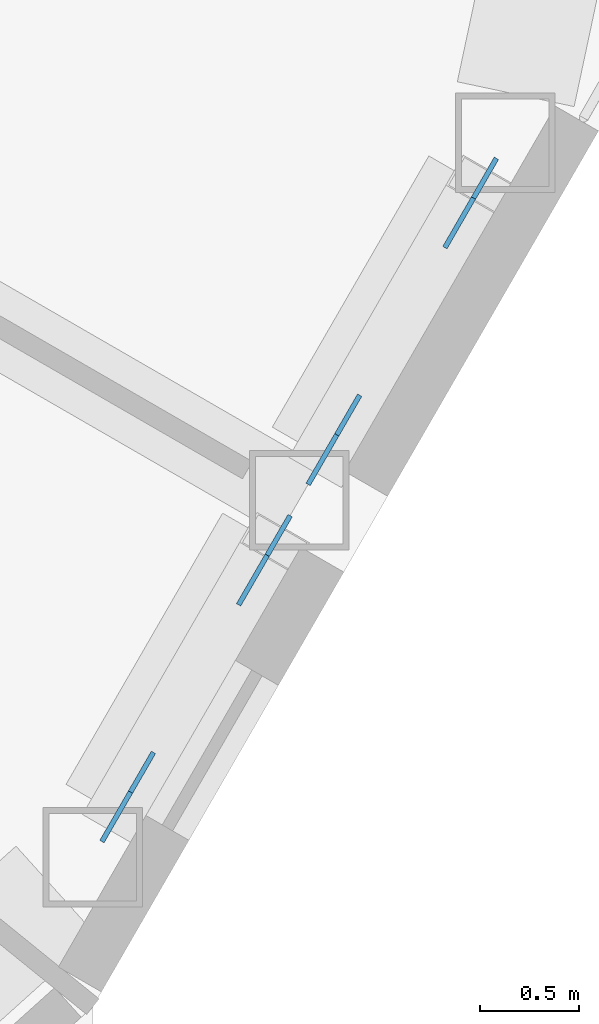
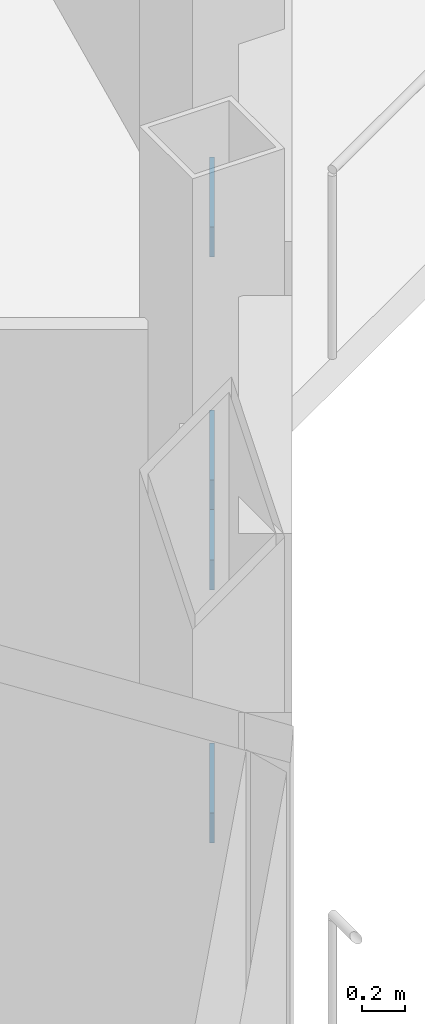
# One storey, part 20 of 27: 4 discrete accessories.
"""IFC4 building model written with IfcOpenShell, lengths in metres."""

from ifc_helpers import new_model, si_unit, direction, frame, origin, origin_2d, place, context, subcontext, project, spatial, rectangle, extrude, material, material_profile, profile_set, type_object, element, save


model = new_model("IFC4")

# Units and contexts
model_context = context("Model", 3, precision=1e-05, world=origin(), true_north=direction((0.0, 1.0)))
body_context = subcontext(model_context, "Body", "Model", "MODEL_VIEW")
ifc_project = project(units=[si_unit("LENGTHUNIT", "METRE"), si_unit("AREAUNIT", "SQUARE_METRE"), si_unit("VOLUMEUNIT", "CUBIC_METRE"), si_unit("PLANEANGLEUNIT", "RADIAN"), si_unit("MASSUNIT", "GRAM", prefix="KILO")], contexts=[model_context])

# Site, building, storey
site_placement = place(None, origin())
site = spatial("IfcSite", under=ifc_project, at=site_placement, CompositionType="ELEMENT")
building_placement = place(site_placement, origin())
building = spatial("IfcBuilding", under=site, at=building_placement, Name="Cormorant Prow Tower", CompositionType="ELEMENT")
storey_placement = place(building_placement, frame((0.0, 0.0, 361.0)))
storey = spatial("IfcBuildingStorey", under=building, at=storey_placement, Name="L80", CompositionType="ELEMENT", Elevation=361.0)

# Discrete accessories
ifc_material = material(Name="Structural steel ASTM A500 Gr C", Category="steel")
ifc_material_profile = material_profile(ifc_material, rectangle(XDim=0.02490234375, YDim=0.405029296875, at=origin_2d()), Name="Gusset plate 25x405")
ifc_profile_set = profile_set([ifc_material_profile], Name="Structural steel ASTM A500 Gr C")
discrete_accessory_type = type_object("IfcDiscreteAccessoryType", Name="Gusset plate 25x405", PredefinedType="BRACKET", material=ifc_profile_set)
for number, where, z_axis, x_axis, name in (
    (1, (26.246826171875, -16.978271484375, 0.941162109375), (-0.411595697368, -0.712269842394, -0.568560158228), (0.865832418869, -0.500334110806, 0.0), "Gusset plate GP3 L80.ESE00.g0"),
    (2, (26.7900390625, -16.037109375, 1.692626953125), (0.411595697368, 0.712269842394, 0.568560158228), (-0.865832418869, 0.500334110806, 0.0), "Gusset plate GP3 L80.ESE00.g1"),
    (3, (27.28369140625, -15.182373046875, 0.941162109375), (-0.411595697368, -0.712269842394, -0.568560158228), (0.865832418869, -0.500334110806, 0.0), "Gusset plate GP3 L80.ESE01.g0"),
    (4, (27.8271484375, -14.2412109375, 1.692626953125), (0.411016012482, 0.712474276306, 0.568723344945), (-0.866199709737, 0.499697971631, 0.0), "Gusset plate GP3 L80.ESE01.g1"),
):
    element("IfcDiscreteAccessory", number, at=place(storey_placement, frame(where, z_axis=z_axis, x_axis=x_axis)), inside=storey, type_object=discrete_accessory_type, Name=name, PredefinedType="BRACKET", context=body_context, shape_type="SweptSolid", body=[
        extrude(rectangle(XDim=0.02490234375, YDim=0.405029296875, at=origin_2d()), origin(), (0.0, 0.0, 1.0), 0.349853515625),
    ])

save(model, "model.ifc")
